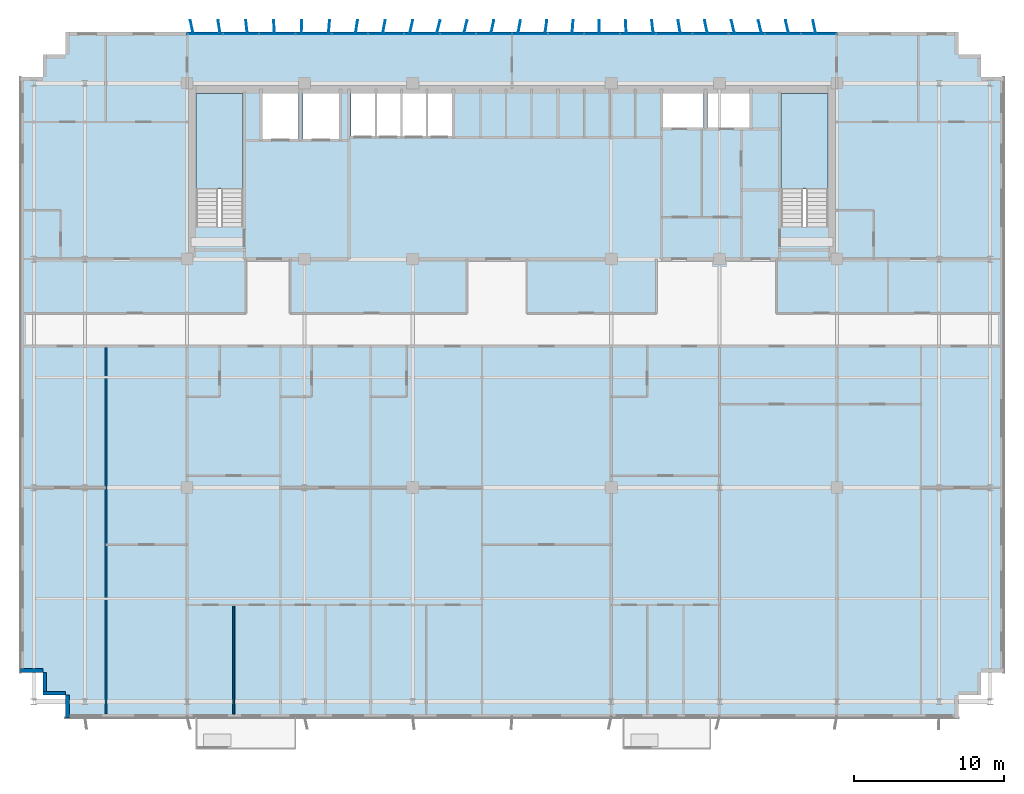
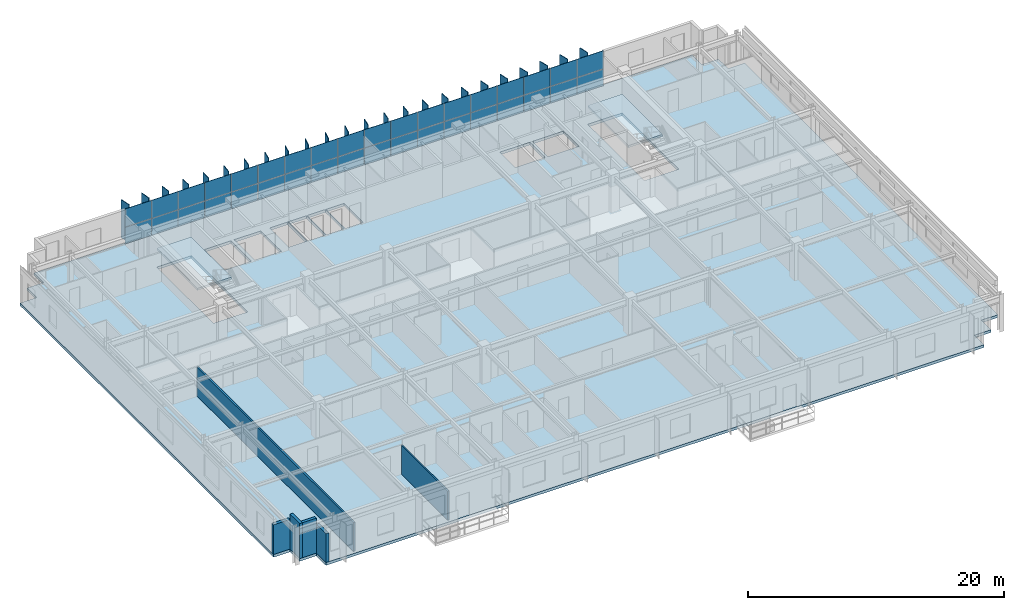
# One storey, part 13 of 22: 60 plates, 6 walls, 3 slabs, 3 elements without a shape of their own.
"""IFC4 building model written with IfcOpenShell, lengths in metres."""

from ifc_helpers import new_model, si_unit, direction, frame, frame_2d, origin, origin_2d, place, context, subcontext, project, spatial, polyline, rectangle, outline, extrude, source, transform, mapped, material, layer, layer_set, type_object, element, aggregate, save


model = new_model("IFC4")

# Units and contexts
model_context = context("Model", 3, precision=1e-05, world=origin(), true_north=direction((0.0, 1.0)))
body_context = subcontext(model_context, "Body", "Model", "MODEL_VIEW")
ifc_project = project(units=[si_unit("LENGTHUNIT", "METRE"), si_unit("AREAUNIT", "SQUARE_METRE"), si_unit("VOLUMEUNIT", "CUBIC_METRE"), si_unit("PLANEANGLEUNIT", "RADIAN"), si_unit("MASSUNIT", "GRAM", prefix="KILO")], contexts=[model_context])

# Site, building, storey
site_placement = place(None, origin())
site = spatial("IfcSite", under=ifc_project, at=site_placement, CompositionType="ELEMENT")
building_placement = place(site_placement, origin())
building = spatial("IfcBuilding", under=site, at=building_placement, Name="Trelvane Seafront Commons", CompositionType="ELEMENT")
storey_placement = place(building_placement, frame((0.0, 0.0, 114.10009765625)))
storey = spatial("IfcBuildingStorey", under=building, at=storey_placement, Name="L29", CompositionType="ELEMENT", Elevation=114.10009765625)

# Stair, slab
ifc_material_1 = material(Name="Concrete C40/50", Category="concrete")
stair_type_1 = type_object("IfcStairType", Name="ARCH-STR-ST-1-R20-180", PredefinedType="HALF_TURN_STAIR", material=ifc_material_1)
stair_1_placement = place(storey_placement, origin())
stair_1 = element("IfcStair", 1, at=stair_1_placement, inside=storey, type_object=stair_type_1, Name="L29 West Protected Firefighting Exit Stair ST-1", PredefinedType="HALF_TURN_STAIR")
ifc_layer_1 = layer(ifc_material_1, 0.199951171875, Name="ARCH-LND-200")
ifc_layer_set_1 = layer_set([ifc_layer_1], Name="Concrete C40/50")
slab_type_1 = type_object("IfcSlabType", Name="ARCH-LND-200", PredefinedType="LANDING", material=ifc_layer_set_1)
slab_1_placement = place(storey_placement, frame((0.0, 0.0, 1.599853515625)))
slab_1 = element("IfcSlab", 2, at=slab_1_placement, type_object=slab_type_1, Name="ST-1 landing 1", PredefinedType="LANDING", context=body_context, shape_type="SweptSolid", body=[
    extrude(outline(polyline([(19.300048828125, 38.070068359375), (19.300048828125, 44.39990234375), (16.199951171875, 44.39990234375), (16.199951171875, 38.070068359375), (19.300048828125, 38.070068359375)])), origin(), (0.0, 0.0, 1.0), 0.199951171875),
])
aggregate(stair_1, [slab_1])

stair_type_2 = type_object("IfcStairType", Name="ARCH-STR-ST-2-R20-180", PredefinedType="HALF_TURN_STAIR", material=ifc_material_1)
stair_2_placement = place(storey_placement, origin())
stair_2 = element("IfcStair", 3, at=stair_2_placement, inside=storey, type_object=stair_type_2, Name="L29 East Protected Firefighting Exit Stair ST-2", PredefinedType="HALF_TURN_STAIR")
slab_2_placement = place(storey_placement, frame((0.0, 0.0, 1.599853515625)))
slab_2 = element("IfcSlab", 4, at=slab_2_placement, type_object=slab_type_1, Name="ST-2 landing 1", PredefinedType="LANDING", context=body_context, shape_type="SweptSolid", body=[
    extrude(outline(polyline([(58.199951171875, 38.070068359375), (58.199951171875, 44.39990234375), (55.10009765625, 44.39990234375), (55.10009765625, 38.070068359375), (58.199951171875, 38.070068359375)])), origin(), (0.0, 0.0, 1.0), 0.199951171875),
])
aggregate(stair_2, [slab_2])

# Slab
ifc_material_2 = material(Name="Concrete C50/60", Category="concrete")
ifc_layer_2 = layer(ifc_material_2, 0.260009765625, Name="STR-SLB-Z1-260")
ifc_layer_set_2 = layer_set([ifc_layer_2], Name="Concrete C50/60")
slab_type_2 = type_object("IfcSlabType", Name="STR-SLB-Z1-260", PredefinedType="FLOOR", material=ifc_layer_set_2)
slab_3_placement = place(storey_placement, frame((0.0, 0.0, -0.260009765625)))
element("IfcSlab", 5, at=slab_3_placement, inside=storey, type_object=slab_type_2, Name="L29 Structural Floor Slab", PredefinedType="FLOOR", context=body_context, shape_type="SweptSolid", body=[
    extrude(outline(polyline([(7.5, 2.89990234375), (66.89990234375, 2.89990234375), (66.89990234375, 4.39990234375), (68.39990234375, 4.39990234375), (68.39990234375, 5.89990234375), (69.89990234375, 5.89990234375), (69.89990234375, 45.5), (68.39990234375, 45.5), (68.39990234375, 47.0), (66.89990234375, 47.0), (66.89990234375, 48.5), (7.5, 48.5), (7.5, 47.0), (6.0, 47.0), (6.0, 45.5), (4.5, 45.5), (4.5, 5.89990234375), (6.0, 5.89990234375), (6.0, 4.39990234375), (7.5, 4.39990234375), (7.5, 2.89990234375)]), holes=[polyline([(19.300048828125, 35.550048828125), (16.199951171875, 35.550048828125), (16.199951171875, 44.39990234375), (19.300048828125, 44.39990234375), (19.300048828125, 35.550048828125)]), polyline([(58.199951171875, 35.550048828125), (55.10009765625, 35.550048828125), (55.10009765625, 44.39990234375), (58.199951171875, 44.39990234375), (58.199951171875, 35.550048828125)]), polyline([(23.0, 41.39990234375), (20.60009765625, 41.39990234375), (20.60009765625, 44.60009765625), (23.0, 44.60009765625), (23.0, 41.39990234375)]), polyline([(23.300048828125, 41.39990234375), (23.300048828125, 44.60009765625), (25.699951171875, 44.60009765625), (25.699951171875, 41.39990234375), (23.300048828125, 41.39990234375)]), polyline([(26.5, 41.60009765625), (26.5, 44.60009765625), (28.1201171875, 44.60009765625), (28.1201171875, 41.60009765625), (26.5, 41.60009765625)]), polyline([(29.820068359375, 41.60009765625), (28.199951171875, 41.60009765625), (28.199951171875, 44.60009765625), (29.820068359375, 44.60009765625), (29.820068359375, 41.60009765625)]), polyline([(31.52001953125, 41.60009765625), (29.89990234375, 41.60009765625), (29.89990234375, 44.60009765625), (31.52001953125, 44.60009765625), (31.52001953125, 41.60009765625)]), polyline([(33.219970703125, 41.60009765625), (31.60009765625, 41.60009765625), (31.60009765625, 44.60009765625), (33.219970703125, 44.60009765625), (33.219970703125, 41.60009765625)]), polyline([(47.25, 42.14990234375), (47.25, 44.550048828125), (49.949951171875, 44.550048828125), (49.949951171875, 42.14990234375), (47.25, 42.14990234375)]), polyline([(50.199951171875, 42.14990234375), (50.199951171875, 44.550048828125), (53.0, 44.550048828125), (53.0, 42.14990234375), (50.199951171875, 42.14990234375)])]), origin(), (0.0, 0.0, 1.0), 0.260009765625),
])

# Plates
ifc_material_3 = material(Name="Anodised pale-silver aluminium", Category="aluminium")
ifc_layer_3 = layer(ifc_material_3, 0.06005859375, Name="ARCH-PLATE-FIN900")
ifc_layer_set_3 = layer_set([ifc_layer_3], Name="Anodised pale-silver aluminium")
plate_type_1 = type_object("IfcPlateType", Name="ARCH-PLATE-FIN900", PredefinedType="USERDEFINED", material=ifc_layer_set_3)
shared_shape_1 = source(origin(), body_context, "Body", "SweptSolid", [
    extrude(rectangle(XDim=0.89990234375, YDim=0.06005859375, at=origin_2d()), origin(), (0.0, 0.0, 1.0), 3.639892578125),
])
for number, where, z_axis, x_axis, name in (
    (6, (15.907958984375, 48.840576171875, -0.02001953125), (0.0, 0.0, 1.0), (-0.204549013365, 0.978856323028, 0.0), "FIN-L29-00746"),
    (7, (17.72705078125, 48.843994140625, -0.02001953125), (0.0, 0.0, 1.0), (-0.162218682263, 0.986754832329, 0.0), "FIN-L29-00747"),
    (8, (19.551513671875, 48.847412109375, -0.02001953125), (0.0, 0.0, 1.0), (-0.107553418822, 0.99419930703, 0.0), "FIN-L29-00748"),
    (9, (21.3798828125, 48.849609375, -0.02001953125), (0.0, 0.0, 1.0), (-0.044555717832, 0.999006900881, 0.0), "FIN-L29-00749"),
    (10, (23.209716796875, 48.849853515625, -0.02001953125), (0.0, 0.0, 1.0), (0.02188817136, 0.999760425279, 0.0), "FIN-L29-00750"),
    (11, (25.038818359375, 48.848388671875, -0.02001953125), (0.0, 0.0, 1.0), (0.08655761849, 0.996246846259, 0.0), "FIN-L29-00751"),
    (12, (26.864990234375, 48.84521484375, -0.02001953125), (0.0, 0.0, 1.0), (0.14456344363, 0.989495533474, 0.0), "FIN-L29-00752"),
    (13, (28.686279296875, 48.841796875, -0.02001953125), (0.0, 0.0, 1.0), (0.191562774599, 0.981480363221, 0.0), "FIN-L29-00753"),
    (14, (30.5009765625, 48.83837890625, -0.02001953125), (0.0, 0.0, 1.0), (0.224218033643, 0.974539005576, 0.0), "FIN-L29-00754"),
    (15, (32.30810546875, 48.8369140625, -0.02001953125), (0.0, 0.0, 1.0), (0.240338165223, 0.970689222325, 0.0), "FIN-L29-00755"),
    (16, (34.107666015625, 48.8369140625, -0.02001953125), (0.0, 0.0, 1.0), (0.239004625323, 0.971018428803, 0.0), "FIN-L29-00756"),
    (17, (35.899169921875, 48.8388671875, -0.02001953125), (0.0, 0.0, 1.0), (0.220224171474, 0.97544928843, 0.0), "FIN-L29-00757"),
    (18, (37.683349609375, 48.84228515625, -0.02001953125), (0.0, 0.0, 1.0), (0.185121222268, 0.982715692897, 0.0), "FIN-L29-00758"),
    (19, (39.461181640625, 48.845703125, -0.02001953125), (0.0, 0.0, 1.0), (0.136223933814, 0.990678070746, 0.0), "FIN-L29-00759"),
    (20, (41.234619140625, 48.8486328125, -0.02001953125), (0.0, 0.0, 1.0), (0.076891305329, 0.997039481247, 0.0), "FIN-L29-00760"),
    (21, (43.005126953125, 48.849853515625, -0.02001953125), (0.0, 0.0, 1.0), (0.01144561932, 0.999934496754, 0.0), "FIN-L29-00761"),
    (22, (44.775390625, 48.849365234375, -0.02001953125), (0.0, 0.0, 1.0), (-0.05478113798, 0.998498386039, 0.0), "FIN-L29-00762"),
    (23, (46.54736328125, 48.846923828125, -0.02001953125), (0.0, 0.0, 1.0), (-0.116783407984, 0.993157407272, 0.0), "FIN-L29-00763"),
    (24, (48.32373046875, 48.843505859375, -0.02001953125), (0.0, 0.0, 1.0), (-0.169676317297, 0.985499846448, 0.0), "FIN-L29-00764"),
    (25, (50.105712890625, 48.840087890625, -0.02001953125), (0.0, 0.0, 1.0), (-0.209877951685, 0.977727592633, 0.0), "FIN-L29-00765"),
    (26, (51.89453125, 48.83740234375, -0.02001953125), (0.0, 0.0, 1.0), (-0.234448228937, 0.972128606692, 0.0), "FIN-L29-00766"),
    (27, (53.691162109375, 48.836669921875, -0.02001953125), (0.0, 0.0, 1.0), (-0.241881251735, 0.970305859025, 0.0), "FIN-L29-00767"),
    (28, (55.495849609375, 48.837646484375, -0.02001953125), (0.0, 0.0, 1.0), (-0.231669803294, 0.972794480988, 0.0), "FIN-L29-00768"),
    (29, (57.307861328125, 48.840576171875, -0.02001953125), (0.0, 0.0, 1.0), (-0.204549013365, 0.978856323028, 0.0), "FIN-L29-00769"),
):
    element("IfcPlate", number, at=place(storey_placement, frame(where, z_axis=z_axis, x_axis=x_axis)), inside=storey, type_object=plate_type_1, Name=name, ObjectType="FIN", PredefinedType="USERDEFINED", context=body_context, shape_type="MappedRepresentation", body=[
        mapped(shared_shape_1, transform((0.0, 0.0, 0.0), x_axis=(1.0, 0.0, 0.0), y_axis=(0.0, 1.0, 0.0), z_axis=(0.0, 0.0, 1.0), scale=1.0)),
    ])

# Curtain wall, plates
curtain_wall_type = type_object("IfcCurtainWallType", Name="ARCH-CW4-SKYLOBBY", PredefinedType="NOTDEFINED", material=ifc_material_3)
curtain_wall_placement = place(storey_placement, origin())
curtain_wall = element("IfcCurtainWall", 30, at=curtain_wall_placement, inside=storey, type_object=curtain_wall_type, Name="CW-L29-0054", PredefinedType="NOTDEFINED")
ifc_material_4 = material(Name="Low-E coastal double glazing", Category="glass")
ifc_layer_4 = layer(ifc_material_4, 0.033935546875, Name="ARCH-CW-GLAZ-34")
ifc_layer_set_4 = layer_set([ifc_layer_4], Name="Low-E coastal double glazing")
plate_type_2 = type_object("IfcPlateType", Name="ARCH-CW-GLAZ-34", PredefinedType="CURTAIN_PANEL", material=ifc_layer_set_4)
shared_shape_2 = source(origin(), body_context, "Body", "SweptSolid", [
    extrude(rectangle(XDim=2.3759765625, YDim=0.0400390625, at=origin_2d()), origin(), (0.0, 0.0, 1.0), 1.5849609375),
])
plate_1_placement = place(storey_placement, frame((16.800048828125, 48.3701171875, 0.0), z_axis=(0.0, 0.0, 1.0), x_axis=(1.0, 0.0, 0.0)))
plate_1 = element("IfcPlate", 31, at=plate_1_placement, type_object=plate_type_2, Name="CW-L29-0054-P00-1", PredefinedType="CURTAIN_PANEL", context=body_context, shape_type="MappedRepresentation", body=[
    mapped(shared_shape_2, transform((0.0, 0.0, 0.0), x_axis=(1.0, 0.0, 0.0), y_axis=(0.0, 1.0, 0.0), z_axis=(0.0, 0.0, 1.0), scale=1.0)),
])
plate_2_placement = place(storey_placement, frame((19.199951171875, 48.3701171875, 0.0), z_axis=(0.0, 0.0, 1.0), x_axis=(1.0, 0.0, 0.0)))
plate_2 = element("IfcPlate", 32, at=plate_2_placement, type_object=plate_type_2, Name="CW-L29-0054-P01-1", PredefinedType="CURTAIN_PANEL", context=body_context, shape_type="MappedRepresentation", body=[
    mapped(shared_shape_2, transform((0.0, 0.0, 0.0), x_axis=(1.0, 0.0, 0.0), y_axis=(0.0, 1.0, 0.0), z_axis=(0.0, 0.0, 1.0), scale=1.0)),
])
plate_3_placement = place(storey_placement, frame((21.60009765625, 48.3701171875, 0.0), z_axis=(0.0, 0.0, 1.0), x_axis=(1.0, 0.0, 0.0)))
plate_3 = element("IfcPlate", 33, at=plate_3_placement, type_object=plate_type_2, Name="CW-L29-0054-P02-1", PredefinedType="CURTAIN_PANEL", context=body_context, shape_type="MappedRepresentation", body=[
    mapped(shared_shape_2, transform((0.0, 0.0, 0.0), x_axis=(1.0, 0.0, 0.0), y_axis=(0.0, 1.0, 0.0), z_axis=(0.0, 0.0, 1.0), scale=1.0)),
])
plate_4_placement = place(storey_placement, frame((24.0, 48.3701171875, 0.0), z_axis=(0.0, 0.0, 1.0), x_axis=(1.0, 0.0, 0.0)))
plate_4 = element("IfcPlate", 34, at=plate_4_placement, type_object=plate_type_2, Name="CW-L29-0054-P03-1", PredefinedType="CURTAIN_PANEL", context=body_context, shape_type="MappedRepresentation", body=[
    mapped(shared_shape_2, transform((0.0, 0.0, 0.0), x_axis=(1.0, 0.0, 0.0), y_axis=(0.0, 1.0, 0.0), z_axis=(0.0, 0.0, 1.0), scale=1.0)),
])
plate_5_placement = place(storey_placement, frame((26.39990234375, 48.3701171875, 0.0), z_axis=(0.0, 0.0, 1.0), x_axis=(1.0, 0.0, 0.0)))
plate_5 = element("IfcPlate", 35, at=plate_5_placement, type_object=plate_type_2, Name="CW-L29-0054-P04-1", PredefinedType="CURTAIN_PANEL", context=body_context, shape_type="MappedRepresentation", body=[
    mapped(shared_shape_2, transform((0.0, 0.0, 0.0), x_axis=(1.0, 0.0, 0.0), y_axis=(0.0, 1.0, 0.0), z_axis=(0.0, 0.0, 1.0), scale=1.0)),
])
plate_6_placement = place(storey_placement, frame((28.800048828125, 48.3701171875, 0.0), z_axis=(0.0, 0.0, 1.0), x_axis=(1.0, 0.0, 0.0)))
plate_6 = element("IfcPlate", 36, at=plate_6_placement, type_object=plate_type_2, Name="CW-L29-0054-P05-1", PredefinedType="CURTAIN_PANEL", context=body_context, shape_type="MappedRepresentation", body=[
    mapped(shared_shape_2, transform((0.0, 0.0, 0.0), x_axis=(1.0, 0.0, 0.0), y_axis=(0.0, 1.0, 0.0), z_axis=(0.0, 0.0, 1.0), scale=1.0)),
])
plate_7_placement = place(storey_placement, frame((31.199951171875, 48.3701171875, 0.0), z_axis=(0.0, 0.0, 1.0), x_axis=(1.0, 0.0, 0.0)))
plate_7 = element("IfcPlate", 37, at=plate_7_placement, type_object=plate_type_2, Name="CW-L29-0054-P06-1", PredefinedType="CURTAIN_PANEL", context=body_context, shape_type="MappedRepresentation", body=[
    mapped(shared_shape_2, transform((0.0, 0.0, 0.0), x_axis=(1.0, 0.0, 0.0), y_axis=(0.0, 1.0, 0.0), z_axis=(0.0, 0.0, 1.0), scale=1.0)),
])
plate_8_placement = place(storey_placement, frame((33.60009765625, 48.3701171875, 0.0), z_axis=(0.0, 0.0, 1.0), x_axis=(1.0, 0.0, 0.0)))
plate_8 = element("IfcPlate", 38, at=plate_8_placement, type_object=plate_type_2, Name="CW-L29-0054-P07-1", PredefinedType="CURTAIN_PANEL", context=body_context, shape_type="MappedRepresentation", body=[
    mapped(shared_shape_2, transform((0.0, 0.0, 0.0), x_axis=(1.0, 0.0, 0.0), y_axis=(0.0, 1.0, 0.0), z_axis=(0.0, 0.0, 1.0), scale=1.0)),
])
plate_9_placement = place(storey_placement, frame((36.0, 48.3701171875, 0.0), z_axis=(0.0, 0.0, 1.0), x_axis=(1.0, 0.0, 0.0)))
plate_9 = element("IfcPlate", 39, at=plate_9_placement, type_object=plate_type_2, Name="CW-L29-0054-P08-1", PredefinedType="CURTAIN_PANEL", context=body_context, shape_type="MappedRepresentation", body=[
    mapped(shared_shape_2, transform((0.0, 0.0, 0.0), x_axis=(1.0, 0.0, 0.0), y_axis=(0.0, 1.0, 0.0), z_axis=(0.0, 0.0, 1.0), scale=1.0)),
])
plate_10_placement = place(storey_placement, frame((38.39990234375, 48.3701171875, 0.0), z_axis=(0.0, 0.0, 1.0), x_axis=(1.0, 0.0, 0.0)))
plate_10 = element("IfcPlate", 40, at=plate_10_placement, type_object=plate_type_2, Name="CW-L29-0054-P09-1", PredefinedType="CURTAIN_PANEL", context=body_context, shape_type="MappedRepresentation", body=[
    mapped(shared_shape_2, transform((0.0, 0.0, 0.0), x_axis=(1.0, 0.0, 0.0), y_axis=(0.0, 1.0, 0.0), z_axis=(0.0, 0.0, 1.0), scale=1.0)),
])
plate_11_placement = place(storey_placement, frame((40.800048828125, 48.3701171875, 0.0), z_axis=(0.0, 0.0, 1.0), x_axis=(1.0, 0.0, 0.0)))
plate_11 = element("IfcPlate", 41, at=plate_11_placement, type_object=plate_type_2, Name="CW-L29-0054-P10-1", PredefinedType="CURTAIN_PANEL", context=body_context, shape_type="MappedRepresentation", body=[
    mapped(shared_shape_2, transform((0.0, 0.0, 0.0), x_axis=(1.0, 0.0, 0.0), y_axis=(0.0, 1.0, 0.0), z_axis=(0.0, 0.0, 1.0), scale=1.0)),
])
plate_12_placement = place(storey_placement, frame((43.199951171875, 48.3701171875, 0.0), z_axis=(0.0, 0.0, 1.0), x_axis=(1.0, 0.0, 0.0)))
plate_12 = element("IfcPlate", 42, at=plate_12_placement, type_object=plate_type_2, Name="CW-L29-0054-P11-1", PredefinedType="CURTAIN_PANEL", context=body_context, shape_type="MappedRepresentation", body=[
    mapped(shared_shape_2, transform((0.0, 0.0, 0.0), x_axis=(1.0, 0.0, 0.0), y_axis=(0.0, 1.0, 0.0), z_axis=(0.0, 0.0, 1.0), scale=1.0)),
])
plate_13_placement = place(storey_placement, frame((45.60009765625, 48.3701171875, 0.0), z_axis=(0.0, 0.0, 1.0), x_axis=(1.0, 0.0, 0.0)))
plate_13 = element("IfcPlate", 43, at=plate_13_placement, type_object=plate_type_2, Name="CW-L29-0054-P12-1", PredefinedType="CURTAIN_PANEL", context=body_context, shape_type="MappedRepresentation", body=[
    mapped(shared_shape_2, transform((0.0, 0.0, 0.0), x_axis=(1.0, 0.0, 0.0), y_axis=(0.0, 1.0, 0.0), z_axis=(0.0, 0.0, 1.0), scale=1.0)),
])
plate_14_placement = place(storey_placement, frame((48.0, 48.3701171875, 0.0), z_axis=(0.0, 0.0, 1.0), x_axis=(1.0, 0.0, 0.0)))
plate_14 = element("IfcPlate", 44, at=plate_14_placement, type_object=plate_type_2, Name="CW-L29-0054-P13-1", PredefinedType="CURTAIN_PANEL", context=body_context, shape_type="MappedRepresentation", body=[
    mapped(shared_shape_2, transform((0.0, 0.0, 0.0), x_axis=(1.0, 0.0, 0.0), y_axis=(0.0, 1.0, 0.0), z_axis=(0.0, 0.0, 1.0), scale=1.0)),
])
plate_15_placement = place(storey_placement, frame((50.39990234375, 48.3701171875, 0.0), z_axis=(0.0, 0.0, 1.0), x_axis=(1.0, 0.0, 0.0)))
plate_15 = element("IfcPlate", 45, at=plate_15_placement, type_object=plate_type_2, Name="CW-L29-0054-P14-1", PredefinedType="CURTAIN_PANEL", context=body_context, shape_type="MappedRepresentation", body=[
    mapped(shared_shape_2, transform((0.0, 0.0, 0.0), x_axis=(1.0, 0.0, 0.0), y_axis=(0.0, 1.0, 0.0), z_axis=(0.0, 0.0, 1.0), scale=1.0)),
])
plate_16_placement = place(storey_placement, frame((52.800048828125, 48.3701171875, 0.0), z_axis=(0.0, 0.0, 1.0), x_axis=(1.0, 0.0, 0.0)))
plate_16 = element("IfcPlate", 46, at=plate_16_placement, type_object=plate_type_2, Name="CW-L29-0054-P15-1", PredefinedType="CURTAIN_PANEL", context=body_context, shape_type="MappedRepresentation", body=[
    mapped(shared_shape_2, transform((0.0, 0.0, 0.0), x_axis=(1.0, 0.0, 0.0), y_axis=(0.0, 1.0, 0.0), z_axis=(0.0, 0.0, 1.0), scale=1.0)),
])
plate_17_placement = place(storey_placement, frame((55.199951171875, 48.3701171875, 0.0), z_axis=(0.0, 0.0, 1.0), x_axis=(1.0, 0.0, 0.0)))
plate_17 = element("IfcPlate", 47, at=plate_17_placement, type_object=plate_type_2, Name="CW-L29-0054-P16-1", PredefinedType="CURTAIN_PANEL", context=body_context, shape_type="MappedRepresentation", body=[
    mapped(shared_shape_2, transform((0.0, 0.0, 0.0), x_axis=(1.0, 0.0, 0.0), y_axis=(0.0, 1.0, 0.0), z_axis=(0.0, 0.0, 1.0), scale=1.0)),
])
plate_18_placement = place(storey_placement, frame((57.60009765625, 48.3701171875, 0.0), z_axis=(0.0, 0.0, 1.0), x_axis=(1.0, 0.0, 0.0)))
plate_18 = element("IfcPlate", 48, at=plate_18_placement, type_object=plate_type_2, Name="CW-L29-0054-P17-1", PredefinedType="CURTAIN_PANEL", context=body_context, shape_type="MappedRepresentation", body=[
    mapped(shared_shape_2, transform((0.0, 0.0, 0.0), x_axis=(1.0, 0.0, 0.0), y_axis=(0.0, 1.0, 0.0), z_axis=(0.0, 0.0, 1.0), scale=1.0)),
])
shared_shape_3 = source(origin(), body_context, "Body", "SweptSolid", [
    extrude(rectangle(XDim=2.3759765625, YDim=0.0400390625, at=origin_2d()), origin(), (0.0, 0.0, 1.0), 1.718994140625),
])
plate_19_placement = place(storey_placement, frame((16.800048828125, 48.3701171875, 1.62109375), z_axis=(0.0, 0.0, 1.0), x_axis=(1.0, 0.0, 0.0)))
plate_19 = element("IfcPlate", 49, at=plate_19_placement, type_object=plate_type_2, Name="CW-L29-0054-P00-2", PredefinedType="CURTAIN_PANEL", context=body_context, shape_type="MappedRepresentation", body=[
    mapped(shared_shape_3, transform((0.0, 0.0, 0.0), x_axis=(1.0, 0.0, 0.0), y_axis=(0.0, 1.0, 0.0), z_axis=(0.0, 0.0, 1.0), scale=1.0)),
])
plate_20_placement = place(storey_placement, frame((19.199951171875, 48.3701171875, 1.62109375), z_axis=(0.0, 0.0, 1.0), x_axis=(1.0, 0.0, 0.0)))
plate_20 = element("IfcPlate", 50, at=plate_20_placement, type_object=plate_type_2, Name="CW-L29-0054-P01-2", PredefinedType="CURTAIN_PANEL", context=body_context, shape_type="MappedRepresentation", body=[
    mapped(shared_shape_3, transform((0.0, 0.0, 0.0), x_axis=(1.0, 0.0, 0.0), y_axis=(0.0, 1.0, 0.0), z_axis=(0.0, 0.0, 1.0), scale=1.0)),
])
plate_21_placement = place(storey_placement, frame((21.60009765625, 48.3701171875, 1.62109375), z_axis=(0.0, 0.0, 1.0), x_axis=(1.0, 0.0, 0.0)))
plate_21 = element("IfcPlate", 51, at=plate_21_placement, type_object=plate_type_2, Name="CW-L29-0054-P02-2", PredefinedType="CURTAIN_PANEL", context=body_context, shape_type="MappedRepresentation", body=[
    mapped(shared_shape_3, transform((0.0, 0.0, 0.0), x_axis=(1.0, 0.0, 0.0), y_axis=(0.0, 1.0, 0.0), z_axis=(0.0, 0.0, 1.0), scale=1.0)),
])
plate_22_placement = place(storey_placement, frame((24.0, 48.3701171875, 1.62109375), z_axis=(0.0, 0.0, 1.0), x_axis=(1.0, 0.0, 0.0)))
plate_22 = element("IfcPlate", 52, at=plate_22_placement, type_object=plate_type_2, Name="CW-L29-0054-P03-2", PredefinedType="CURTAIN_PANEL", context=body_context, shape_type="MappedRepresentation", body=[
    mapped(shared_shape_3, transform((0.0, 0.0, 0.0), x_axis=(1.0, 0.0, 0.0), y_axis=(0.0, 1.0, 0.0), z_axis=(0.0, 0.0, 1.0), scale=1.0)),
])
plate_23_placement = place(storey_placement, frame((26.39990234375, 48.3701171875, 1.62109375), z_axis=(0.0, 0.0, 1.0), x_axis=(1.0, 0.0, 0.0)))
plate_23 = element("IfcPlate", 53, at=plate_23_placement, type_object=plate_type_2, Name="CW-L29-0054-P04-2", PredefinedType="CURTAIN_PANEL", context=body_context, shape_type="MappedRepresentation", body=[
    mapped(shared_shape_3, transform((0.0, 0.0, 0.0), x_axis=(1.0, 0.0, 0.0), y_axis=(0.0, 1.0, 0.0), z_axis=(0.0, 0.0, 1.0), scale=1.0)),
])
plate_24_placement = place(storey_placement, frame((28.800048828125, 48.3701171875, 1.62109375), z_axis=(0.0, 0.0, 1.0), x_axis=(1.0, 0.0, 0.0)))
plate_24 = element("IfcPlate", 54, at=plate_24_placement, type_object=plate_type_2, Name="CW-L29-0054-P05-2", PredefinedType="CURTAIN_PANEL", context=body_context, shape_type="MappedRepresentation", body=[
    mapped(shared_shape_3, transform((0.0, 0.0, 0.0), x_axis=(1.0, 0.0, 0.0), y_axis=(0.0, 1.0, 0.0), z_axis=(0.0, 0.0, 1.0), scale=1.0)),
])
plate_25_placement = place(storey_placement, frame((31.199951171875, 48.3701171875, 1.62109375), z_axis=(0.0, 0.0, 1.0), x_axis=(1.0, 0.0, 0.0)))
plate_25 = element("IfcPlate", 55, at=plate_25_placement, type_object=plate_type_2, Name="CW-L29-0054-P06-2", PredefinedType="CURTAIN_PANEL", context=body_context, shape_type="MappedRepresentation", body=[
    mapped(shared_shape_3, transform((0.0, 0.0, 0.0), x_axis=(1.0, 0.0, 0.0), y_axis=(0.0, 1.0, 0.0), z_axis=(0.0, 0.0, 1.0), scale=1.0)),
])
plate_26_placement = place(storey_placement, frame((33.60009765625, 48.3701171875, 1.62109375), z_axis=(0.0, 0.0, 1.0), x_axis=(1.0, 0.0, 0.0)))
plate_26 = element("IfcPlate", 56, at=plate_26_placement, type_object=plate_type_2, Name="CW-L29-0054-P07-2", PredefinedType="CURTAIN_PANEL", context=body_context, shape_type="MappedRepresentation", body=[
    mapped(shared_shape_3, transform((0.0, 0.0, 0.0), x_axis=(1.0, 0.0, 0.0), y_axis=(0.0, 1.0, 0.0), z_axis=(0.0, 0.0, 1.0), scale=1.0)),
])
plate_27_placement = place(storey_placement, frame((36.0, 48.3701171875, 1.62109375), z_axis=(0.0, 0.0, 1.0), x_axis=(1.0, 0.0, 0.0)))
plate_27 = element("IfcPlate", 57, at=plate_27_placement, type_object=plate_type_2, Name="CW-L29-0054-P08-2", PredefinedType="CURTAIN_PANEL", context=body_context, shape_type="MappedRepresentation", body=[
    mapped(shared_shape_3, transform((0.0, 0.0, 0.0), x_axis=(1.0, 0.0, 0.0), y_axis=(0.0, 1.0, 0.0), z_axis=(0.0, 0.0, 1.0), scale=1.0)),
])
plate_28_placement = place(storey_placement, frame((38.39990234375, 48.3701171875, 1.62109375), z_axis=(0.0, 0.0, 1.0), x_axis=(1.0, 0.0, 0.0)))
plate_28 = element("IfcPlate", 58, at=plate_28_placement, type_object=plate_type_2, Name="CW-L29-0054-P09-2", PredefinedType="CURTAIN_PANEL", context=body_context, shape_type="MappedRepresentation", body=[
    mapped(shared_shape_3, transform((0.0, 0.0, 0.0), x_axis=(1.0, 0.0, 0.0), y_axis=(0.0, 1.0, 0.0), z_axis=(0.0, 0.0, 1.0), scale=1.0)),
])
plate_29_placement = place(storey_placement, frame((40.800048828125, 48.3701171875, 1.62109375), z_axis=(0.0, 0.0, 1.0), x_axis=(1.0, 0.0, 0.0)))
plate_29 = element("IfcPlate", 59, at=plate_29_placement, type_object=plate_type_2, Name="CW-L29-0054-P10-2", PredefinedType="CURTAIN_PANEL", context=body_context, shape_type="MappedRepresentation", body=[
    mapped(shared_shape_3, transform((0.0, 0.0, 0.0), x_axis=(1.0, 0.0, 0.0), y_axis=(0.0, 1.0, 0.0), z_axis=(0.0, 0.0, 1.0), scale=1.0)),
])
plate_30_placement = place(storey_placement, frame((43.199951171875, 48.3701171875, 1.62109375), z_axis=(0.0, 0.0, 1.0), x_axis=(1.0, 0.0, 0.0)))
plate_30 = element("IfcPlate", 60, at=plate_30_placement, type_object=plate_type_2, Name="CW-L29-0054-P11-2", PredefinedType="CURTAIN_PANEL", context=body_context, shape_type="MappedRepresentation", body=[
    mapped(shared_shape_3, transform((0.0, 0.0, 0.0), x_axis=(1.0, 0.0, 0.0), y_axis=(0.0, 1.0, 0.0), z_axis=(0.0, 0.0, 1.0), scale=1.0)),
])
plate_31_placement = place(storey_placement, frame((45.60009765625, 48.3701171875, 1.62109375), z_axis=(0.0, 0.0, 1.0), x_axis=(1.0, 0.0, 0.0)))
plate_31 = element("IfcPlate", 61, at=plate_31_placement, type_object=plate_type_2, Name="CW-L29-0054-P12-2", PredefinedType="CURTAIN_PANEL", context=body_context, shape_type="MappedRepresentation", body=[
    mapped(shared_shape_3, transform((0.0, 0.0, 0.0), x_axis=(1.0, 0.0, 0.0), y_axis=(0.0, 1.0, 0.0), z_axis=(0.0, 0.0, 1.0), scale=1.0)),
])
plate_32_placement = place(storey_placement, frame((48.0, 48.3701171875, 1.62109375), z_axis=(0.0, 0.0, 1.0), x_axis=(1.0, 0.0, 0.0)))
plate_32 = element("IfcPlate", 62, at=plate_32_placement, type_object=plate_type_2, Name="CW-L29-0054-P13-2", PredefinedType="CURTAIN_PANEL", context=body_context, shape_type="MappedRepresentation", body=[
    mapped(shared_shape_3, transform((0.0, 0.0, 0.0), x_axis=(1.0, 0.0, 0.0), y_axis=(0.0, 1.0, 0.0), z_axis=(0.0, 0.0, 1.0), scale=1.0)),
])
plate_33_placement = place(storey_placement, frame((50.39990234375, 48.3701171875, 1.62109375), z_axis=(0.0, 0.0, 1.0), x_axis=(1.0, 0.0, 0.0)))
plate_33 = element("IfcPlate", 63, at=plate_33_placement, type_object=plate_type_2, Name="CW-L29-0054-P14-2", PredefinedType="CURTAIN_PANEL", context=body_context, shape_type="MappedRepresentation", body=[
    mapped(shared_shape_3, transform((0.0, 0.0, 0.0), x_axis=(1.0, 0.0, 0.0), y_axis=(0.0, 1.0, 0.0), z_axis=(0.0, 0.0, 1.0), scale=1.0)),
])
plate_34_placement = place(storey_placement, frame((52.800048828125, 48.3701171875, 1.62109375), z_axis=(0.0, 0.0, 1.0), x_axis=(1.0, 0.0, 0.0)))
plate_34 = element("IfcPlate", 64, at=plate_34_placement, type_object=plate_type_2, Name="CW-L29-0054-P15-2", PredefinedType="CURTAIN_PANEL", context=body_context, shape_type="MappedRepresentation", body=[
    mapped(shared_shape_3, transform((0.0, 0.0, 0.0), x_axis=(1.0, 0.0, 0.0), y_axis=(0.0, 1.0, 0.0), z_axis=(0.0, 0.0, 1.0), scale=1.0)),
])
plate_35_placement = place(storey_placement, frame((55.199951171875, 48.3701171875, 1.62109375), z_axis=(0.0, 0.0, 1.0), x_axis=(1.0, 0.0, 0.0)))
plate_35 = element("IfcPlate", 65, at=plate_35_placement, type_object=plate_type_2, Name="CW-L29-0054-P16-2", PredefinedType="CURTAIN_PANEL", context=body_context, shape_type="MappedRepresentation", body=[
    mapped(shared_shape_3, transform((0.0, 0.0, 0.0), x_axis=(1.0, 0.0, 0.0), y_axis=(0.0, 1.0, 0.0), z_axis=(0.0, 0.0, 1.0), scale=1.0)),
])
plate_36_placement = place(storey_placement, frame((57.60009765625, 48.3701171875, 1.62109375), z_axis=(0.0, 0.0, 1.0), x_axis=(1.0, 0.0, 0.0)))
plate_36 = element("IfcPlate", 66, at=plate_36_placement, type_object=plate_type_2, Name="CW-L29-0054-P17-2", PredefinedType="CURTAIN_PANEL", context=body_context, shape_type="MappedRepresentation", body=[
    mapped(shared_shape_3, transform((0.0, 0.0, 0.0), x_axis=(1.0, 0.0, 0.0), y_axis=(0.0, 1.0, 0.0), z_axis=(0.0, 0.0, 1.0), scale=1.0)),
])
aggregate(curtain_wall, [plate_1, plate_19, plate_2, plate_20, plate_3, plate_21, plate_4, plate_22, plate_5, plate_23, plate_6, plate_24, plate_7, plate_25, plate_8, plate_26, plate_9, plate_27, plate_10, plate_28, plate_11, plate_29, plate_12, plate_30, plate_13, plate_31, plate_14, plate_32, plate_15, plate_33, plate_16, plate_34, plate_17, plate_35, plate_18, plate_36])

# Walls
ifc_material_5 = material(Name="Precast concrete C40/50", Category="concrete")
ifc_layer_5 = layer(ifc_material_5, 0.260009765625, Name="ARCH-WALL-EXT260")
ifc_layer_set_5 = layer_set([ifc_layer_5], Name="Precast concrete C40/50")
wall_type_1 = type_object("IfcWallType", Name="ARCH-WALL-EXT260", PredefinedType="SOLIDWALL", material=ifc_layer_set_5)
for number, where, z_axis, x_axis, name in (
    (67, (7.5, 4.530029296875, 0.0), (0.0, 0.0, 1.0), (-1.0, 0.0, 0.0), "EW-L29-00540"),
    (68, (6.1298828125, 4.39990234375, 0.0), (0.0, 0.0, 1.0), (0.0, 1.0, 0.0), "EW-L29-00541"),
):
    element("IfcWall", number, at=place(storey_placement, frame(where, z_axis=z_axis, x_axis=x_axis)), inside=storey, type_object=wall_type_1, Name=name, PredefinedType="SOLIDWALL", context=body_context, shape_type="SweptSolid", body=[
        extrude(rectangle(XDim=1.5, YDim=0.260009765625, at=frame_2d((0.75, 0.0))), origin(), (0.0, 0.0, 1.0), 3.33984375),
    ])
wall_1_placement = place(storey_placement, frame((6.0, 6.030029296875, 0.0), z_axis=(0.0, 0.0, 1.0), x_axis=(-1.0, 0.0, 0.0)))
element("IfcWall", 69, at=wall_1_placement, inside=storey, type_object=wall_type_1, Name="EW-L29-00542", PredefinedType="SOLIDWALL", context=body_context, shape_type="SweptSolid", body=[
    extrude(rectangle(XDim=1.5, YDim=0.260009765625, at=frame_2d((0.75, 0.0))), origin(), (0.0, 0.0, 1.0), 2.83984375),
])
wall_2_placement = place(storey_placement, frame((7.6298828125, 2.89990234375, 0.0), z_axis=(0.0, 0.0, 1.0), x_axis=(0.0, 1.0, 0.0)))
element("IfcWall", 70, at=wall_2_placement, inside=storey, type_object=wall_type_1, Name="EW-L29-00558", PredefinedType="SOLIDWALL", context=body_context, shape_type="SweptSolid", body=[
    extrude(rectangle(XDim=1.5, YDim=0.260009765625, at=frame_2d((0.75, 0.0))), origin(), (0.0, 0.0, 1.0), 2.751953125),
])
ifc_material_6 = material(Name="Gypsum Drywall Acoustic Partition")
ifc_layer_6 = layer(ifc_material_6, 0.1201171875, Name="ARCH-WALL-PART120")
ifc_layer_set_6 = layer_set([ifc_layer_6], Name="Gypsum Drywall Acoustic Partition")
wall_type_2 = type_object("IfcWallType", Name="ARCH-WALL-PART120", PredefinedType="PARTITIONING", material=ifc_layer_set_6)
wall_3_placement = place(storey_placement, frame((18.699951171875, 3.14501953125, 0.0), z_axis=(0.0, 0.0, 1.0), x_axis=(0.0, 1.0, 0.0)))
element("IfcWall", 71, at=wall_3_placement, inside=storey, type_object=wall_type_2, Name="W-L29-U3-BDV-1-083", PredefinedType="PARTITIONING", context=body_context, shape_type="SweptSolid", body=[
    extrude(rectangle(XDim=7.2548828125, YDim=0.1201171875, at=frame_2d((3.62744140625, 0.0))), origin(), (0.0, 0.0, 1.0), 2.751953125),
])
ifc_layer_7 = layer(ifc_material_6, 0.14990234375, Name="ARCH-WALL-PART150")
ifc_layer_set_7 = layer_set([ifc_layer_7], Name="Gypsum Drywall Acoustic Partition")
wall_type_3 = type_object("IfcWallType", Name="ARCH-WALL-PART150", PredefinedType="PARTITIONING", material=ifc_layer_set_7)
wall_4_placement = place(storey_placement, frame((10.199951171875, 3.14501953125, 0.0), z_axis=(0.0, 0.0, 1.0), x_axis=(0.0, 1.0, 0.0)))
element("IfcWall", 72, at=wall_4_placement, inside=storey, type_object=wall_type_3, Name="W-L29-PW-1-064", PredefinedType="PARTITIONING", context=body_context, shape_type="SweptSolid", body=[
    extrude(rectangle(XDim=24.455078125, YDim=0.14990234375, at=frame_2d((12.2275390625, 0.0))), origin(), (0.0, 0.0, 1.0), 2.751953125),
])

save(model, "model.ifc")
